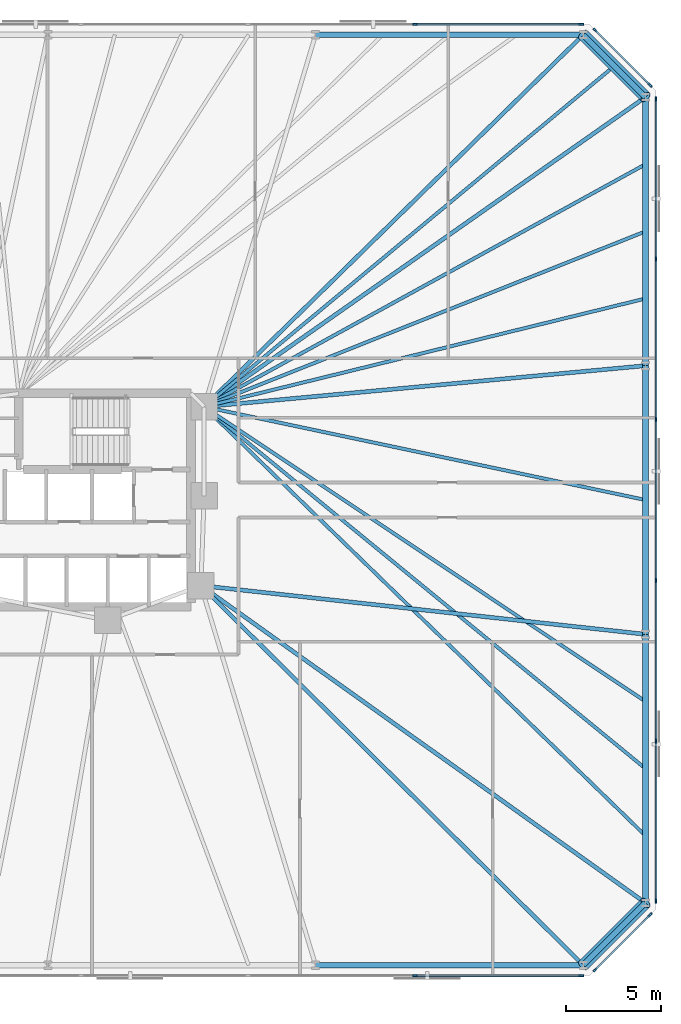
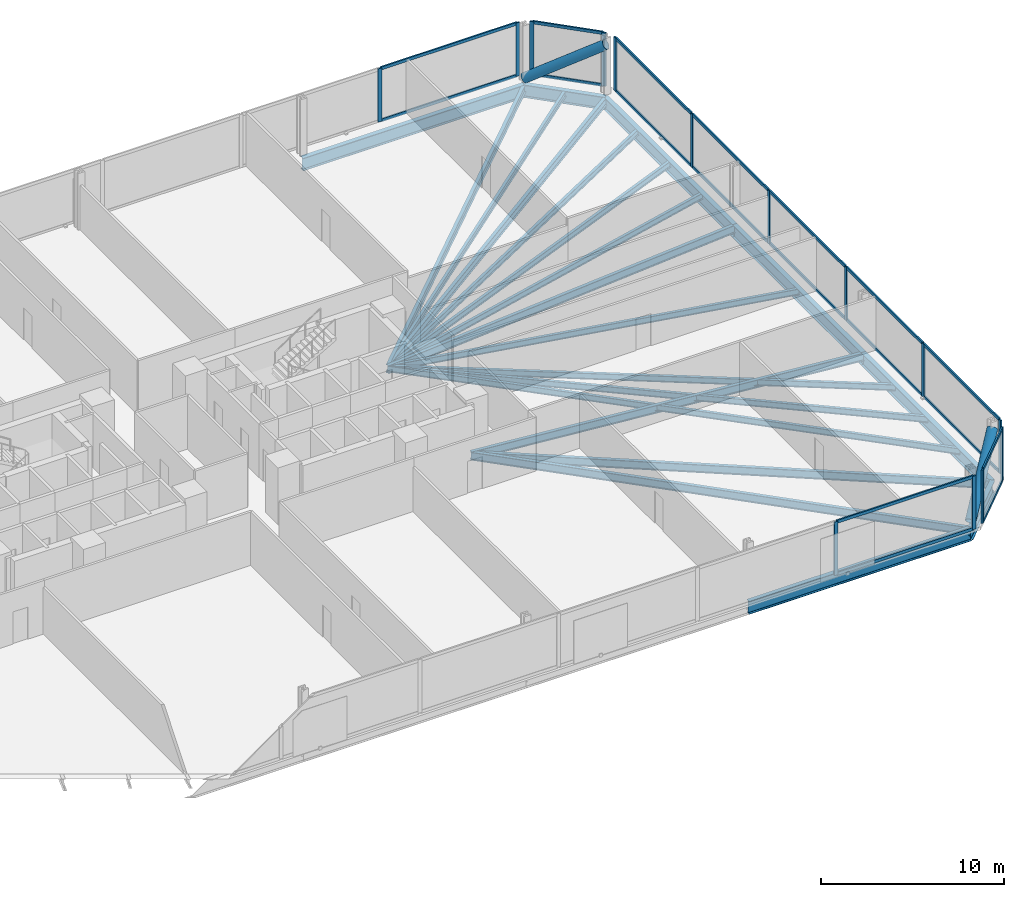
# One storey, part 10 of 17: 34 members, 21 beams, 5 elements without a shape of their own.
"""IFC4 building model written with IfcOpenShell, lengths in metres."""

from ifc_helpers import new_model, si_unit, direction, frame, origin, origin_2d, place, context, subcontext, project, spatial, rectangle, hollow_circle, i_section, extrude, material, material_profile, profile_set, type_object, element, aggregate, save


model = new_model("IFC4")

# Units and contexts
model_context = context("Model", 3, precision=1e-05, world=origin(), true_north=direction((0.0, 1.0)))
body_context = subcontext(model_context, "Body", "Model", "MODEL_VIEW")
ifc_project = project(units=[si_unit("LENGTHUNIT", "METRE"), si_unit("AREAUNIT", "SQUARE_METRE"), si_unit("VOLUMEUNIT", "CUBIC_METRE"), si_unit("PLANEANGLEUNIT", "RADIAN"), si_unit("MASSUNIT", "GRAM", prefix="KILO")], contexts=[model_context])

# Site, building, storey
site_placement = place(None, origin())
site = spatial("IfcSite", under=ifc_project, at=site_placement, CompositionType="ELEMENT")
building_placement = place(site_placement, origin())
building = spatial("IfcBuilding", under=site, at=building_placement, Name="Menara Jurai Vektor", CompositionType="ELEMENT")
storey_placement = place(building_placement, frame((0.0, 0.0, 25.60009765625)))
storey = spatial("IfcBuildingStorey", under=building, at=storey_placement, Name="L05", CompositionType="ELEMENT", Elevation=25.60009765625)

# Curtain wall, members
ifc_material_1 = material(Name="Anodised Pale Aluminium & Low-E Double Glazing", Category="aluminium")
curtain_wall_type = type_object("IfcCurtainWallType", Name="CW-BLK1", PredefinedType="NOTDEFINED", material=ifc_material_1)
curtain_wall_1_placement = place(storey_placement, origin())
curtain_wall_1 = element("IfcCurtainWall", 1, at=curtain_wall_1_placement, inside=storey, type_object=curtain_wall_type, Name="Unitised Curtain Wall L05 F01", PredefinedType="NOTDEFINED")
ifc_material_2 = material(Name="Anodised Pale Aluminium Mullion", Category="aluminium")
ifc_material_profile_1 = material_profile(ifc_material_2, rectangle(XDim=0.094970703125, YDim=0.239990234375, at=origin_2d()), Name="ALU MUL 95x240")
ifc_profile_set_1 = profile_set([ifc_material_profile_1], Name="Anodised Pale Aluminium Mullion")
member_type_1 = type_object("IfcMemberType", Name="CW-BLK1-MUL", PredefinedType="MULLION", material=ifc_profile_set_1)
member_1_placement = place(storey_placement, frame((26.340087890625, -25.0, 0.0), z_axis=(0.0, 0.0, 1.0), x_axis=(0.0, 1.0, 0.0)))
member_1 = element("IfcMember", 2, at=member_1_placement, type_object=member_type_1, Name="CW-01 mullion 8", PredefinedType="MULLION", context=body_context, shape_type="SweptSolid", body=[
    extrude(rectangle(XDim=0.094970703125, YDim=0.239990234375, at=origin_2d()), origin(), (0.0, 0.0, 1.0), 3.574951171875),
])
member_2_placement = place(storey_placement, frame((35.072509765625, -25.0, 0.0), z_axis=(0.0, 0.0, 1.0), x_axis=(0.0, 1.0, 0.0)))
member_2 = element("IfcMember", 3, at=member_2_placement, type_object=member_type_1, Name="CW-01 mullion 9", PredefinedType="MULLION", context=body_context, shape_type="SweptSolid", body=[
    extrude(rectangle(XDim=0.094970703125, YDim=0.239990234375, at=origin_2d()), origin(), (0.0, 0.0, 1.0), 3.574951171875),
])

curtain_wall_2_placement = place(storey_placement, origin())
curtain_wall_2 = element("IfcCurtainWall", 4, at=curtain_wall_2_placement, inside=storey, type_object=curtain_wall_type, Name="Unitised Curtain Wall L05 F02", PredefinedType="NOTDEFINED")
member_3_placement = place(storey_placement, frame((35.80224609375, -24.69775390625, 0.0), z_axis=(0.0, 0.0, 1.0), x_axis=(-0.707106781187, 0.707106781187, 0.0)))
member_3 = element("IfcMember", 5, at=member_3_placement, type_object=member_type_1, Name="CW-01 mullion 1", PredefinedType="MULLION", context=body_context, shape_type="SweptSolid", body=[
    extrude(rectangle(XDim=0.094970703125, YDim=0.239990234375, at=origin_2d()), origin(), (0.0, 0.0, 1.0), 3.574951171875),
])
member_4_placement = place(storey_placement, frame((38.69775390625, -21.80224609375, 0.0), z_axis=(0.0, 0.0, 1.0), x_axis=(-0.707106781187, 0.707106781187, 0.0)))
member_4 = element("IfcMember", 6, at=member_4_placement, type_object=member_type_1, Name="CW-01 mullion 2", PredefinedType="MULLION", context=body_context, shape_type="SweptSolid", body=[
    extrude(rectangle(XDim=0.094970703125, YDim=0.239990234375, at=origin_2d()), origin(), (0.0, 0.0, 1.0), 3.574951171875),
])

curtain_wall_3_placement = place(storey_placement, origin())
curtain_wall_3 = element("IfcCurtainWall", 7, at=curtain_wall_3_placement, inside=storey, type_object=curtain_wall_type, Name="Unitised Curtain Wall L05 F03", PredefinedType="NOTDEFINED")
member_5_placement = place(storey_placement, frame((39.0, -21.072509765625, 0.0), z_axis=(0.0, 0.0, 1.0), x_axis=(-1.0, 0.0, 0.0)))
member_5 = element("IfcMember", 8, at=member_5_placement, type_object=member_type_1, Name="CW-01 mullion 1", PredefinedType="MULLION", context=body_context, shape_type="SweptSolid", body=[
    extrude(rectangle(XDim=0.094970703125, YDim=0.239990234375, at=origin_2d()), origin(), (0.0, 0.0, 1.0), 3.574951171875),
])
member_6_placement = place(storey_placement, frame((39.0, -12.672119140625, 0.0), z_axis=(0.0, 0.0, 1.0), x_axis=(-1.0, 0.0, 0.0)))
member_6 = element("IfcMember", 9, at=member_6_placement, type_object=member_type_1, Name="CW-01 mullion 2", PredefinedType="MULLION", context=body_context, shape_type="SweptSolid", body=[
    extrude(rectangle(XDim=0.094970703125, YDim=0.239990234375, at=origin_2d()), origin(), (0.0, 0.0, 1.0), 3.574951171875),
])
member_7_placement = place(storey_placement, frame((39.0, -4.22412109375, 0.0), z_axis=(0.0, 0.0, 1.0), x_axis=(-1.0, 0.0, 0.0)))
member_7 = element("IfcMember", 10, at=member_7_placement, type_object=member_type_1, Name="CW-01 mullion 3", PredefinedType="MULLION", context=body_context, shape_type="SweptSolid", body=[
    extrude(rectangle(XDim=0.094970703125, YDim=0.239990234375, at=origin_2d()), origin(), (0.0, 0.0, 1.0), 3.574951171875),
])
member_8_placement = place(storey_placement, frame((39.0, 4.22412109375, 0.0), z_axis=(0.0, 0.0, 1.0), x_axis=(-1.0, 0.0, 0.0)))
member_8 = element("IfcMember", 11, at=member_8_placement, type_object=member_type_1, Name="CW-01 mullion 4", PredefinedType="MULLION", context=body_context, shape_type="SweptSolid", body=[
    extrude(rectangle(XDim=0.094970703125, YDim=0.239990234375, at=origin_2d()), origin(), (0.0, 0.0, 1.0), 3.574951171875),
])
member_9_placement = place(storey_placement, frame((39.0, 12.672119140625, 0.0), z_axis=(0.0, 0.0, 1.0), x_axis=(-1.0, 0.0, 0.0)))
member_9 = element("IfcMember", 12, at=member_9_placement, type_object=member_type_1, Name="CW-01 mullion 5", PredefinedType="MULLION", context=body_context, shape_type="SweptSolid", body=[
    extrude(rectangle(XDim=0.094970703125, YDim=0.239990234375, at=origin_2d()), origin(), (0.0, 0.0, 1.0), 3.574951171875),
])
member_10_placement = place(storey_placement, frame((39.0, 21.072509765625, 0.0), z_axis=(0.0, 0.0, 1.0), x_axis=(-1.0, 0.0, 0.0)))
member_10 = element("IfcMember", 13, at=member_10_placement, type_object=member_type_1, Name="CW-01 mullion 6", PredefinedType="MULLION", context=body_context, shape_type="SweptSolid", body=[
    extrude(rectangle(XDim=0.094970703125, YDim=0.239990234375, at=origin_2d()), origin(), (0.0, 0.0, 1.0), 3.574951171875),
])

curtain_wall_4_placement = place(storey_placement, origin())
curtain_wall_4 = element("IfcCurtainWall", 14, at=curtain_wall_4_placement, inside=storey, type_object=curtain_wall_type, Name="Unitised Curtain Wall L05 F04", PredefinedType="NOTDEFINED")
member_11_placement = place(storey_placement, frame((38.69775390625, 21.80224609375, 0.0), z_axis=(0.0, 0.0, 1.0), x_axis=(-0.707106781187, -0.707106781187, 0.0)))
member_11 = element("IfcMember", 15, at=member_11_placement, type_object=member_type_1, Name="CW-01 mullion 1", PredefinedType="MULLION", context=body_context, shape_type="SweptSolid", body=[
    extrude(rectangle(XDim=0.094970703125, YDim=0.239990234375, at=origin_2d()), origin(), (0.0, 0.0, 1.0), 3.574951171875),
])
member_12_placement = place(storey_placement, frame((35.80224609375, 24.69775390625, 0.0), z_axis=(0.0, 0.0, 1.0), x_axis=(-0.707106781187, -0.707106781187, 0.0)))
member_12 = element("IfcMember", 16, at=member_12_placement, type_object=member_type_1, Name="CW-01 mullion 2", PredefinedType="MULLION", context=body_context, shape_type="SweptSolid", body=[
    extrude(rectangle(XDim=0.094970703125, YDim=0.239990234375, at=origin_2d()), origin(), (0.0, 0.0, 1.0), 3.574951171875),
])

curtain_wall_5_placement = place(storey_placement, origin())
curtain_wall_5 = element("IfcCurtainWall", 17, at=curtain_wall_5_placement, inside=storey, type_object=curtain_wall_type, Name="Unitised Curtain Wall L05 F05", PredefinedType="NOTDEFINED")
member_13_placement = place(storey_placement, frame((35.072509765625, 25.0, 0.0), z_axis=(0.0, 0.0, 1.0), x_axis=(0.0, -1.0, 0.0)))
member_13 = element("IfcMember", 18, at=member_13_placement, type_object=member_type_1, Name="CW-01 mullion 1", PredefinedType="MULLION", context=body_context, shape_type="SweptSolid", body=[
    extrude(rectangle(XDim=0.094970703125, YDim=0.239990234375, at=origin_2d()), origin(), (0.0, 0.0, 1.0), 3.574951171875),
])
member_14_placement = place(storey_placement, frame((26.340087890625, 25.0, 0.0), z_axis=(0.0, 0.0, 1.0), x_axis=(0.0, -1.0, 0.0)))
member_14 = element("IfcMember", 19, at=member_14_placement, type_object=member_type_1, Name="CW-01 mullion 2", PredefinedType="MULLION", context=body_context, shape_type="SweptSolid", body=[
    extrude(rectangle(XDim=0.094970703125, YDim=0.239990234375, at=origin_2d()), origin(), (0.0, 0.0, 1.0), 3.574951171875),
])

# Member
ifc_material_3 = material(Name="Anodised Pale Aluminium Transom", Category="aluminium")
ifc_material_profile_2 = material_profile(ifc_material_3, rectangle(XDim=0.094970703125, YDim=0.199951171875, at=origin_2d()), Name="ALU TRN 95x200")
ifc_profile_set_2 = profile_set([ifc_material_profile_2], Name="Anodised Pale Aluminium Transom")
member_type_2 = type_object("IfcMemberType", Name="CW-BLK1-TRN", PredefinedType="USERDEFINED", material=ifc_profile_set_2)
member_15_placement = place(storey_placement, frame((26.387451171875, -25.0, 0.04736328125), z_axis=(1.0, 0.0, 0.0), x_axis=(0.0, 1.0, 0.0)))
member_15 = element("IfcMember", 20, at=member_15_placement, type_object=member_type_2, Name="CW-01 transom 8.1", ObjectType="TRANSOM", PredefinedType="USERDEFINED", context=body_context, shape_type="SweptSolid", body=[
    extrude(rectangle(XDim=0.094970703125, YDim=0.199951171875, at=origin_2d()), origin(), (0.0, 0.0, 1.0), 8.637451171875),
])

member_16_placement = place(storey_placement, frame((26.387451171875, -25.0, 3.52734375), z_axis=(1.0, 0.0, 0.0), x_axis=(0.0, 1.0, 0.0)))
member_16 = element("IfcMember", 21, at=member_16_placement, type_object=member_type_2, Name="CW-01 transom 8.2", ObjectType="TRANSOM", PredefinedType="USERDEFINED", context=body_context, shape_type="SweptSolid", body=[
    extrude(rectangle(XDim=0.094970703125, YDim=0.199951171875, at=origin_2d()), origin(), (0.0, 0.0, 1.0), 8.637451171875),
])

aggregate(curtain_wall_1, [member_1, member_2, member_15, member_16])

member_17_placement = place(storey_placement, frame((35.8359375, -24.6640625, 0.04736328125), z_axis=(0.707106781187, 0.707106781187, 0.0), x_axis=(-0.707106781187, 0.707106781187, 0.0)))
member_17 = element("IfcMember", 22, at=member_17_placement, type_object=member_type_2, Name="CW-01 transom 1.1", ObjectType="TRANSOM", PredefinedType="USERDEFINED", context=body_context, shape_type="SweptSolid", body=[
    extrude(rectangle(XDim=0.094970703125, YDim=0.199951171875, at=origin_2d()), origin(), (0.0, 0.0, 1.0), 3.99951171875),
])

member_18_placement = place(storey_placement, frame((35.8359375, -24.6640625, 3.52734375), z_axis=(0.707106781187, 0.707106781187, 0.0), x_axis=(-0.707106781187, 0.707106781187, 0.0)))
member_18 = element("IfcMember", 23, at=member_18_placement, type_object=member_type_2, Name="CW-01 transom 1.2", ObjectType="TRANSOM", PredefinedType="USERDEFINED", context=body_context, shape_type="SweptSolid", body=[
    extrude(rectangle(XDim=0.094970703125, YDim=0.199951171875, at=origin_2d()), origin(), (0.0, 0.0, 1.0), 3.99951171875),
])

aggregate(curtain_wall_2, [member_3, member_4, member_17, member_18])

member_19_placement = place(storey_placement, frame((39.0, -21.02490234375, 0.04736328125), z_axis=(0.0, 1.0, 0.0), x_axis=(-1.0, 0.0, 0.0)))
member_19 = element("IfcMember", 24, at=member_19_placement, type_object=member_type_2, Name="CW-01 transom 1.1", ObjectType="TRANSOM", PredefinedType="USERDEFINED", context=body_context, shape_type="SweptSolid", body=[
    extrude(rectangle(XDim=0.094970703125, YDim=0.199951171875, at=origin_2d()), origin(), (0.0, 0.0, 1.0), 8.305419921875),
])

member_20_placement = place(storey_placement, frame((39.0, -21.02490234375, 3.52734375), z_axis=(0.0, 1.0, 0.0), x_axis=(-1.0, 0.0, 0.0)))
member_20 = element("IfcMember", 25, at=member_20_placement, type_object=member_type_2, Name="CW-01 transom 1.2", ObjectType="TRANSOM", PredefinedType="USERDEFINED", context=body_context, shape_type="SweptSolid", body=[
    extrude(rectangle(XDim=0.094970703125, YDim=0.199951171875, at=origin_2d()), origin(), (0.0, 0.0, 1.0), 8.305419921875),
])

member_21_placement = place(storey_placement, frame((39.0, -12.62451171875, 0.04736328125), z_axis=(0.0, 1.0, 0.0), x_axis=(-1.0, 0.0, 0.0)))
member_21 = element("IfcMember", 26, at=member_21_placement, type_object=member_type_2, Name="CW-01 transom 2.1", ObjectType="TRANSOM", PredefinedType="USERDEFINED", context=body_context, shape_type="SweptSolid", body=[
    extrude(rectangle(XDim=0.094970703125, YDim=0.199951171875, at=origin_2d()), origin(), (0.0, 0.0, 1.0), 8.35302734375),
])

member_22_placement = place(storey_placement, frame((39.0, -12.62451171875, 3.52734375), z_axis=(0.0, 1.0, 0.0), x_axis=(-1.0, 0.0, 0.0)))
member_22 = element("IfcMember", 27, at=member_22_placement, type_object=member_type_2, Name="CW-01 transom 2.2", ObjectType="TRANSOM", PredefinedType="USERDEFINED", context=body_context, shape_type="SweptSolid", body=[
    extrude(rectangle(XDim=0.094970703125, YDim=0.199951171875, at=origin_2d()), origin(), (0.0, 0.0, 1.0), 8.35302734375),
])

member_23_placement = place(storey_placement, frame((39.0, -4.176513671875, 0.04736328125), z_axis=(0.0, 1.0, 0.0), x_axis=(-1.0, 0.0, 0.0)))
member_23 = element("IfcMember", 28, at=member_23_placement, type_object=member_type_2, Name="CW-01 transom 3.1", ObjectType="TRANSOM", PredefinedType="USERDEFINED", context=body_context, shape_type="SweptSolid", body=[
    extrude(rectangle(XDim=0.094970703125, YDim=0.199951171875, at=origin_2d()), origin(), (0.0, 0.0, 1.0), 8.35302734375),
])

member_24_placement = place(storey_placement, frame((39.0, -4.176513671875, 3.52734375), z_axis=(0.0, 1.0, 0.0), x_axis=(-1.0, 0.0, 0.0)))
member_24 = element("IfcMember", 29, at=member_24_placement, type_object=member_type_2, Name="CW-01 transom 3.2", ObjectType="TRANSOM", PredefinedType="USERDEFINED", context=body_context, shape_type="SweptSolid", body=[
    extrude(rectangle(XDim=0.094970703125, YDim=0.199951171875, at=origin_2d()), origin(), (0.0, 0.0, 1.0), 8.35302734375),
])

member_25_placement = place(storey_placement, frame((39.0, 4.271484375, 0.04736328125), z_axis=(0.0, 1.0, 0.0), x_axis=(-1.0, 0.0, 0.0)))
member_25 = element("IfcMember", 30, at=member_25_placement, type_object=member_type_2, Name="CW-01 transom 4.1", ObjectType="TRANSOM", PredefinedType="USERDEFINED", context=body_context, shape_type="SweptSolid", body=[
    extrude(rectangle(XDim=0.094970703125, YDim=0.199951171875, at=origin_2d()), origin(), (0.0, 0.0, 1.0), 8.35302734375),
])

member_26_placement = place(storey_placement, frame((39.0, 4.271484375, 3.52734375), z_axis=(0.0, 1.0, 0.0), x_axis=(-1.0, 0.0, 0.0)))
member_26 = element("IfcMember", 31, at=member_26_placement, type_object=member_type_2, Name="CW-01 transom 4.2", ObjectType="TRANSOM", PredefinedType="USERDEFINED", context=body_context, shape_type="SweptSolid", body=[
    extrude(rectangle(XDim=0.094970703125, YDim=0.199951171875, at=origin_2d()), origin(), (0.0, 0.0, 1.0), 8.35302734375),
])

member_27_placement = place(storey_placement, frame((39.0, 12.719482421875, 0.04736328125), z_axis=(0.0, 1.0, 0.0), x_axis=(-1.0, 0.0, 0.0)))
member_27 = element("IfcMember", 32, at=member_27_placement, type_object=member_type_2, Name="CW-01 transom 5.1", ObjectType="TRANSOM", PredefinedType="USERDEFINED", context=body_context, shape_type="SweptSolid", body=[
    extrude(rectangle(XDim=0.094970703125, YDim=0.199951171875, at=origin_2d()), origin(), (0.0, 0.0, 1.0), 8.305419921875),
])

member_28_placement = place(storey_placement, frame((39.0, 12.719482421875, 3.52734375), z_axis=(0.0, 1.0, 0.0), x_axis=(-1.0, 0.0, 0.0)))
member_28 = element("IfcMember", 33, at=member_28_placement, type_object=member_type_2, Name="CW-01 transom 5.2", ObjectType="TRANSOM", PredefinedType="USERDEFINED", context=body_context, shape_type="SweptSolid", body=[
    extrude(rectangle(XDim=0.094970703125, YDim=0.199951171875, at=origin_2d()), origin(), (0.0, 0.0, 1.0), 8.305419921875),
])

aggregate(curtain_wall_3, [member_5, member_6, member_7, member_8, member_9, member_10, member_19, member_20, member_21, member_22, member_23, member_24, member_25, member_26, member_27, member_28])

member_29_placement = place(storey_placement, frame((38.6640625, 21.8359375, 0.04736328125), z_axis=(-0.707106781187, 0.707106781187, 0.0), x_axis=(-0.707106781187, -0.707106781187, 0.0)))
member_29 = element("IfcMember", 34, at=member_29_placement, type_object=member_type_2, Name="CW-01 transom 1.1", ObjectType="TRANSOM", PredefinedType="USERDEFINED", context=body_context, shape_type="SweptSolid", body=[
    extrude(rectangle(XDim=0.094970703125, YDim=0.199951171875, at=origin_2d()), origin(), (0.0, 0.0, 1.0), 3.99951171875),
])

member_30_placement = place(storey_placement, frame((38.6640625, 21.8359375, 3.52734375), z_axis=(-0.707106781187, 0.707106781187, 0.0), x_axis=(-0.707106781187, -0.707106781187, 0.0)))
member_30 = element("IfcMember", 35, at=member_30_placement, type_object=member_type_2, Name="CW-01 transom 1.2", ObjectType="TRANSOM", PredefinedType="USERDEFINED", context=body_context, shape_type="SweptSolid", body=[
    extrude(rectangle(XDim=0.094970703125, YDim=0.199951171875, at=origin_2d()), origin(), (0.0, 0.0, 1.0), 3.99951171875),
])

aggregate(curtain_wall_4, [member_11, member_12, member_29, member_30])

member_31_placement = place(storey_placement, frame((35.02490234375, 25.0, 0.04736328125), z_axis=(-1.0, 0.0, 0.0), x_axis=(0.0, -1.0, 0.0)))
member_31 = element("IfcMember", 36, at=member_31_placement, type_object=member_type_2, Name="CW-01 transom 1.1", ObjectType="TRANSOM", PredefinedType="USERDEFINED", context=body_context, shape_type="SweptSolid", body=[
    extrude(rectangle(XDim=0.094970703125, YDim=0.199951171875, at=origin_2d()), origin(), (0.0, 0.0, 1.0), 8.637451171875),
])

member_32_placement = place(storey_placement, frame((35.02490234375, 25.0, 3.52734375), z_axis=(-1.0, 0.0, 0.0), x_axis=(0.0, -1.0, 0.0)))
member_32 = element("IfcMember", 37, at=member_32_placement, type_object=member_type_2, Name="CW-01 transom 1.2", ObjectType="TRANSOM", PredefinedType="USERDEFINED", context=body_context, shape_type="SweptSolid", body=[
    extrude(rectangle(XDim=0.094970703125, YDim=0.199951171875, at=origin_2d()), origin(), (0.0, 0.0, 1.0), 8.637451171875),
])

aggregate(curtain_wall_5, [member_13, member_14, member_31, member_32])

# Beams
ifc_material_4 = material(Name="Steel S355", Category="steel")
ifc_material_profile_3 = material_profile(ifc_material_4, i_section(OverallWidth=0.2109375, OverallDepth=0.5390625, WebThickness=0.011962890625, FlangeThickness=0.01904296875, FilletRadius=0.012939453125, at=origin_2d()), Name="UKB 533x210x109")
ifc_profile_set_3 = profile_set([ifc_material_profile_3], Name="Steel S355")
beam_type_1 = type_object("IfcBeamType", Name="STR-BM-533", PredefinedType="BEAM", material=ifc_profile_set_3)
beam_1_placement = place(storey_placement, frame((35.177734375, -24.449951171875, -0.49462890625), z_axis=(-0.709709931659, 0.704494011972, 0.0), x_axis=(-0.704494011972, -0.709709931659, 0.0)))
element("IfcBeam", 38, at=beam_1_placement, inside=storey, type_object=beam_type_1, Name="Radial Floor Girder L05-S6", PredefinedType="BEAM", context=body_context, shape_type="SweptSolid", body=[
    extrude(i_section(OverallWidth=0.2109375, OverallDepth=0.5390625, WebThickness=0.011962890625, FlangeThickness=0.01904296875, FilletRadius=0.012939453125, at=origin_2d()), origin(), (0.0, 0.0, 1.0), 28.318115234375),
])
beam_2_placement = place(storey_placement, frame((38.449951171875, -21.177734375, -0.49462890625), z_axis=(-0.813981033216, 0.580891450759, 0.0), x_axis=(-0.580891450759, -0.813981033216, 0.0)))
element("IfcBeam", 39, at=beam_2_placement, inside=storey, type_object=beam_type_1, Name="Radial Floor Girder L05-E1", PredefinedType="BEAM", context=body_context, shape_type="SweptSolid", body=[
    extrude(i_section(OverallWidth=0.2109375, OverallDepth=0.5390625, WebThickness=0.011962890625, FlangeThickness=0.01904296875, FilletRadius=0.012939453125, at=origin_2d()), origin(), (0.0, 0.0, 1.0), 28.710693359375),
])
beam_3_placement = place(storey_placement, frame((38.449951171875, -7.059326171875, -0.49462890625), z_axis=(-0.994056757953, 0.108863042253, 0.0), x_axis=(-0.108863042253, -0.994056757953, 0.0)))
element("IfcBeam", 40, at=beam_3_placement, inside=storey, type_object=beam_type_1, Name="Radial Floor Girder L05-E2", PredefinedType="BEAM", context=body_context, shape_type="SweptSolid", body=[
    extrude(i_section(OverallWidth=0.2109375, OverallDepth=0.5390625, WebThickness=0.011962890625, FlangeThickness=0.01904296875, FilletRadius=0.012939453125, at=origin_2d()), origin(), (0.0, 0.0, 1.0), 23.509521484375),
])
beam_4_placement = place(storey_placement, frame((38.449951171875, 7.059326171875, -0.49462890625), z_axis=(-0.995696113112, -0.092678208514, 0.0), x_axis=(0.092678208514, -0.995696113112, 0.0)))
element("IfcBeam", 41, at=beam_4_placement, inside=storey, type_object=beam_type_1, Name="Radial Floor Girder L05-E3", PredefinedType="BEAM", context=body_context, shape_type="SweptSolid", body=[
    extrude(i_section(OverallWidth=0.2109375, OverallDepth=0.5390625, WebThickness=0.011962890625, FlangeThickness=0.01904296875, FilletRadius=0.012939453125, at=origin_2d()), origin(), (0.0, 0.0, 1.0), 23.30029296875),
])
beam_5_placement = place(storey_placement, frame((38.449951171875, 21.177734375, -0.49462890625), z_axis=(-0.818603732445, -0.574358711283, 0.0), x_axis=(0.574358711283, -0.818603732445, 0.0)))
element("IfcBeam", 42, at=beam_5_placement, inside=storey, type_object=beam_type_1, Name="Radial Floor Girder L05-E4", PredefinedType="BEAM", context=body_context, shape_type="SweptSolid", body=[
    extrude(i_section(OverallWidth=0.2109375, OverallDepth=0.5390625, WebThickness=0.011962890625, FlangeThickness=0.01904296875, FilletRadius=0.012939453125, at=origin_2d()), origin(), (0.0, 0.0, 1.0), 28.3408203125),
])
beam_6_placement = place(storey_placement, frame((35.177734375, 24.449951171875, -0.49462890625), z_axis=(-0.713839032855, -0.700309813706, 0.0), x_axis=(0.700309813706, -0.713839032855, 0.0)))
element("IfcBeam", 43, at=beam_6_placement, inside=storey, type_object=beam_type_1, Name="Radial Floor Girder L05-N1", PredefinedType="BEAM", context=body_context, shape_type="SweptSolid", body=[
    extrude(i_section(OverallWidth=0.2109375, OverallDepth=0.5390625, WebThickness=0.011962890625, FlangeThickness=0.01904296875, FilletRadius=0.012939453125, at=origin_2d()), origin(), (0.0, 0.0, 1.0), 27.916259765625),
])

# Members
ifc_material_5 = material(Name="Steel S460", Category="steel")
ifc_material_profile_4 = material_profile(ifc_material_5, hollow_circle(Radius=0.304931640625, WallThickness=0.02490234375, at=origin_2d()), Name="CHS 610x25")
ifc_profile_set_4 = profile_set([ifc_material_profile_4], Name="Steel S460")
member_type_3 = type_object("IfcMemberType", Name="STR-BR-610", PredefinedType="BRACE", material=ifc_profile_set_4)
for number, where, z_axis, x_axis, name in (
    (44, (35.177734375, -24.449951171875, 0.14990234375), (0.588942422958, 0.588942422958, 0.553438022619), (-0.707106781187, 0.707106781187, 0.0), "Exoskeleton Corner Brace L05-1"),
    (45, (35.177734375, 24.449951171875, 0.14990234375), (0.588942422958, -0.588942422958, 0.553438022619), (0.707106781187, 0.707106781187, 0.0), "Exoskeleton Corner Brace L05-2"),
):
    element("IfcMember", number, at=place(storey_placement, frame(where, z_axis=z_axis, x_axis=x_axis)), inside=storey, type_object=member_type_3, Name=name, PredefinedType="BRACE", context=body_context, shape_type="SweptSolid", body=[
        extrude(hollow_circle(Radius=0.304931640625, WallThickness=0.02490234375, at=origin_2d()), origin(), (0.0, 0.0, 1.0), 5.55615234375),
    ])

# Beams
ifc_material_profile_5 = material_profile(ifc_material_4, i_section(OverallWidth=0.178955078125, OverallDepth=0.408935546875, WebThickness=0.009033203125, FlangeThickness=0.013916015625, FilletRadius=0.010009765625, at=origin_2d()), Name="UKB 406x178x67")
ifc_profile_set_5 = profile_set([ifc_material_profile_5], Name="Steel S355")
beam_type_2 = type_object("IfcBeamType", Name="STR-JS-406", PredefinedType="JOIST", material=ifc_profile_set_5)
beam_7_placement = place(storey_placement, frame((38.449951171875, -17.648193359375, -0.4296875), z_axis=(-0.71710942187, 0.696960599363, 0.0), x_axis=(-0.696960599363, -0.71710942187, 0.0)))
element("IfcBeam", 46, at=beam_7_placement, inside=storey, type_object=beam_type_2, Name="Radial Secondary Floor Joist L05-JS08", PredefinedType="JOIST", context=body_context, shape_type="SweptSolid", body=[
    extrude(i_section(OverallWidth=0.178955078125, OverallDepth=0.408935546875, WebThickness=0.009033203125, FlangeThickness=0.013916015625, FilletRadius=0.010009765625, at=origin_2d()), origin(), (0.0, 0.0, 1.0), 32.35205078125),
])
beam_8_placement = place(storey_placement, frame((38.449951171875, -14.118408203125, -0.4296875), z_axis=(-0.773360118456, 0.633966976413, 0.0), x_axis=(-0.633966976413, -0.773360118456, 0.0)))
element("IfcBeam", 47, at=beam_8_placement, inside=storey, type_object=beam_type_2, Name="Radial Secondary Floor Joist L05-JS09", PredefinedType="JOIST", context=body_context, shape_type="SweptSolid", body=[
    extrude(i_section(OverallWidth=0.178955078125, OverallDepth=0.408935546875, WebThickness=0.009033203125, FlangeThickness=0.013916015625, FilletRadius=0.010009765625, at=origin_2d()), origin(), (0.0, 0.0, 1.0), 29.998779296875),
])
beam_9_placement = place(storey_placement, frame((38.449951171875, -10.5888671875, -0.4296875), z_axis=(-0.831683872109, 0.555249436627, 0.0), x_axis=(-0.555249436627, -0.831683872109, 0.0)))
element("IfcBeam", 48, at=beam_9_placement, inside=storey, type_object=beam_type_2, Name="Radial Secondary Floor Joist L05-JS10", PredefinedType="JOIST", context=body_context, shape_type="SweptSolid", body=[
    extrude(i_section(OverallWidth=0.178955078125, OverallDepth=0.408935546875, WebThickness=0.009033203125, FlangeThickness=0.013916015625, FilletRadius=0.010009765625, at=origin_2d()), origin(), (0.0, 0.0, 1.0), 27.895263671875),
])
beam_10_placement = place(storey_placement, frame((38.449951171875, 0.0, -0.4296875), z_axis=(-0.978416084102, 0.206644541109, 0.0), x_axis=(-0.206644541109, -0.978416084102, 0.0)))
element("IfcBeam", 49, at=beam_10_placement, inside=storey, type_object=beam_type_2, Name="Radial Secondary Floor Joist L05-JS11", PredefinedType="JOIST", context=body_context, shape_type="SweptSolid", body=[
    extrude(i_section(OverallWidth=0.178955078125, OverallDepth=0.408935546875, WebThickness=0.009033203125, FlangeThickness=0.013916015625, FilletRadius=0.010009765625, at=origin_2d()), origin(), (0.0, 0.0, 1.0), 23.711669921875),
])
beam_11_placement = place(storey_placement, frame((38.449951171875, 10.5888671875, -0.4296875), z_axis=(-0.971226234641, -0.238158772976, 0.0), x_axis=(0.238158772976, -0.971226234641, 0.0)))
element("IfcBeam", 50, at=beam_11_placement, inside=storey, type_object=beam_type_2, Name="Radial Secondary Floor Joist L05-JS12", PredefinedType="JOIST", context=body_context, shape_type="SweptSolid", body=[
    extrude(i_section(OverallWidth=0.178955078125, OverallDepth=0.408935546875, WebThickness=0.009033203125, FlangeThickness=0.013916015625, FilletRadius=0.010009765625, at=origin_2d()), origin(), (0.0, 0.0, 1.0), 23.88720703125),
])
beam_12_placement = place(storey_placement, frame((38.449951171875, 14.118408203125, -0.4296875), z_axis=(-0.929323400723, -0.369266864027, 0.0), x_axis=(0.369266864027, -0.929323400723, 0.0)))
element("IfcBeam", 51, at=beam_12_placement, inside=storey, type_object=beam_type_2, Name="Radial Secondary Floor Joist L05-JS13", PredefinedType="JOIST", context=body_context, shape_type="SweptSolid", body=[
    extrude(i_section(OverallWidth=0.178955078125, OverallDepth=0.408935546875, WebThickness=0.009033203125, FlangeThickness=0.013916015625, FilletRadius=0.010009765625, at=origin_2d()), origin(), (0.0, 0.0, 1.0), 24.96435546875),
])
beam_13_placement = place(storey_placement, frame((38.449951171875, 17.648193359375, -0.4296875), z_axis=(-0.87640219057, -0.481579900291, 0.0), x_axis=(0.481579900291, -0.87640219057, 0.0)))
element("IfcBeam", 52, at=beam_13_placement, inside=storey, type_object=beam_type_2, Name="Radial Secondary Floor Joist L05-JS14", PredefinedType="JOIST", context=body_context, shape_type="SweptSolid", body=[
    extrude(i_section(OverallWidth=0.178955078125, OverallDepth=0.408935546875, WebThickness=0.009033203125, FlangeThickness=0.013916015625, FilletRadius=0.010009765625, at=origin_2d()), origin(), (0.0, 0.0, 1.0), 26.471923828125),
])
beam_14_placement = place(storey_placement, frame((36.81396484375, 22.81396484375, -0.4296875), z_axis=(-0.769201173096, -0.639006694259, 0.0), x_axis=(0.639006694259, -0.769201173096, 0.0)))
element("IfcBeam", 53, at=beam_14_placement, inside=storey, type_object=beam_type_2, Name="Radial Secondary Floor Joist L05-JS15", PredefinedType="JOIST", context=body_context, shape_type="SweptSolid", body=[
    extrude(i_section(OverallWidth=0.178955078125, OverallDepth=0.408935546875, WebThickness=0.009033203125, FlangeThickness=0.013916015625, FilletRadius=0.010009765625, at=origin_2d()), origin(), (0.0, 0.0, 1.0), 28.0341796875),
])
ifc_material_profile_6 = material_profile(ifc_material_5, i_section(OverallWidth=0.2939453125, OverallDepth=0.85107421875, WebThickness=0.01611328125, FlangeThickness=0.027099609375, FilletRadius=0.01806640625, at=origin_2d()), Name="UKB 838x292x226")
ifc_profile_set_6 = profile_set([ifc_material_profile_6], Name="Steel S460")
beam_type_3 = type_object("IfcBeamType", Name="STR-SP-838", PredefinedType="SPANDREL", material=ifc_profile_set_6)
beam_15_placement = place(storey_placement, frame((21.106689453125, -24.449951171875, -0.650634765625), z_axis=(1.0, 0.0, 0.0), x_axis=(0.0, 1.0, 0.0)))
element("IfcBeam", 54, at=beam_15_placement, inside=storey, type_object=beam_type_3, Name="Exoskeleton Spandrel Beam L05-05", PredefinedType="SPANDREL", context=body_context, shape_type="SweptSolid", body=[
    extrude(i_section(OverallWidth=0.2939453125, OverallDepth=0.85107421875, WebThickness=0.01611328125, FlangeThickness=0.027099609375, FilletRadius=0.01806640625, at=origin_2d()), origin(), (0.0, 0.0, 1.0), 14.071044921875),
])
beam_16_placement = place(storey_placement, frame((35.177734375, -24.449951171875, -0.650634765625), z_axis=(0.707106781187, 0.707106781187, 0.0), x_axis=(-0.707106781187, 0.707106781187, 0.0)))
element("IfcBeam", 55, at=beam_16_placement, inside=storey, type_object=beam_type_3, Name="Exoskeleton Spandrel Beam L05-06", PredefinedType="SPANDREL", context=body_context, shape_type="SweptSolid", body=[
    extrude(i_section(OverallWidth=0.2939453125, OverallDepth=0.85107421875, WebThickness=0.01611328125, FlangeThickness=0.027099609375, FilletRadius=0.01806640625, at=origin_2d()), origin(), (0.0, 0.0, 1.0), 4.627685546875),
])
beam_17_placement = place(storey_placement, frame((38.449951171875, -21.177734375, -0.650634765625), z_axis=(0.0, 1.0, 0.0), x_axis=(-1.0, 0.0, 0.0)))
element("IfcBeam", 56, at=beam_17_placement, inside=storey, type_object=beam_type_3, Name="Exoskeleton Spandrel Beam L05-07", PredefinedType="SPANDREL", context=body_context, shape_type="SweptSolid", body=[
    extrude(i_section(OverallWidth=0.2939453125, OverallDepth=0.85107421875, WebThickness=0.01611328125, FlangeThickness=0.027099609375, FilletRadius=0.01806640625, at=origin_2d()), origin(), (0.0, 0.0, 1.0), 14.118408203125),
])
beam_18_placement = place(storey_placement, frame((38.449951171875, -7.059326171875, -0.650634765625), z_axis=(0.0, 1.0, 0.0), x_axis=(-1.0, 0.0, 0.0)))
element("IfcBeam", 57, at=beam_18_placement, inside=storey, type_object=beam_type_3, Name="Exoskeleton Spandrel Beam L05-08", PredefinedType="SPANDREL", context=body_context, shape_type="SweptSolid", body=[
    extrude(i_section(OverallWidth=0.2939453125, OverallDepth=0.85107421875, WebThickness=0.01611328125, FlangeThickness=0.027099609375, FilletRadius=0.01806640625, at=origin_2d()), origin(), (0.0, 0.0, 1.0), 14.11865234375),
])
beam_19_placement = place(storey_placement, frame((38.449951171875, 7.059326171875, -0.650634765625), z_axis=(0.0, 1.0, 0.0), x_axis=(-1.0, 0.0, 0.0)))
element("IfcBeam", 58, at=beam_19_placement, inside=storey, type_object=beam_type_3, Name="Exoskeleton Spandrel Beam L05-09", PredefinedType="SPANDREL", context=body_context, shape_type="SweptSolid", body=[
    extrude(i_section(OverallWidth=0.2939453125, OverallDepth=0.85107421875, WebThickness=0.01611328125, FlangeThickness=0.027099609375, FilletRadius=0.01806640625, at=origin_2d()), origin(), (0.0, 0.0, 1.0), 14.118408203125),
])
beam_20_placement = place(storey_placement, frame((38.449951171875, 21.177734375, -0.650634765625), z_axis=(-0.707106781187, 0.707106781187, 0.0), x_axis=(-0.707106781187, -0.707106781187, 0.0)))
element("IfcBeam", 59, at=beam_20_placement, inside=storey, type_object=beam_type_3, Name="Exoskeleton Spandrel Beam L05-10", PredefinedType="SPANDREL", context=body_context, shape_type="SweptSolid", body=[
    extrude(i_section(OverallWidth=0.2939453125, OverallDepth=0.85107421875, WebThickness=0.01611328125, FlangeThickness=0.027099609375, FilletRadius=0.01806640625, at=origin_2d()), origin(), (0.0, 0.0, 1.0), 4.627685546875),
])
beam_21_placement = place(storey_placement, frame((35.177734375, 24.449951171875, -0.650634765625), z_axis=(-1.0, 0.0, 0.0), x_axis=(0.0, -1.0, 0.0)))
element("IfcBeam", 60, at=beam_21_placement, inside=storey, type_object=beam_type_3, Name="Exoskeleton Spandrel Beam L05-11", PredefinedType="SPANDREL", context=body_context, shape_type="SweptSolid", body=[
    extrude(i_section(OverallWidth=0.2939453125, OverallDepth=0.85107421875, WebThickness=0.01611328125, FlangeThickness=0.027099609375, FilletRadius=0.01806640625, at=origin_2d()), origin(), (0.0, 0.0, 1.0), 14.071044921875),
])

save(model, "model.ifc")
